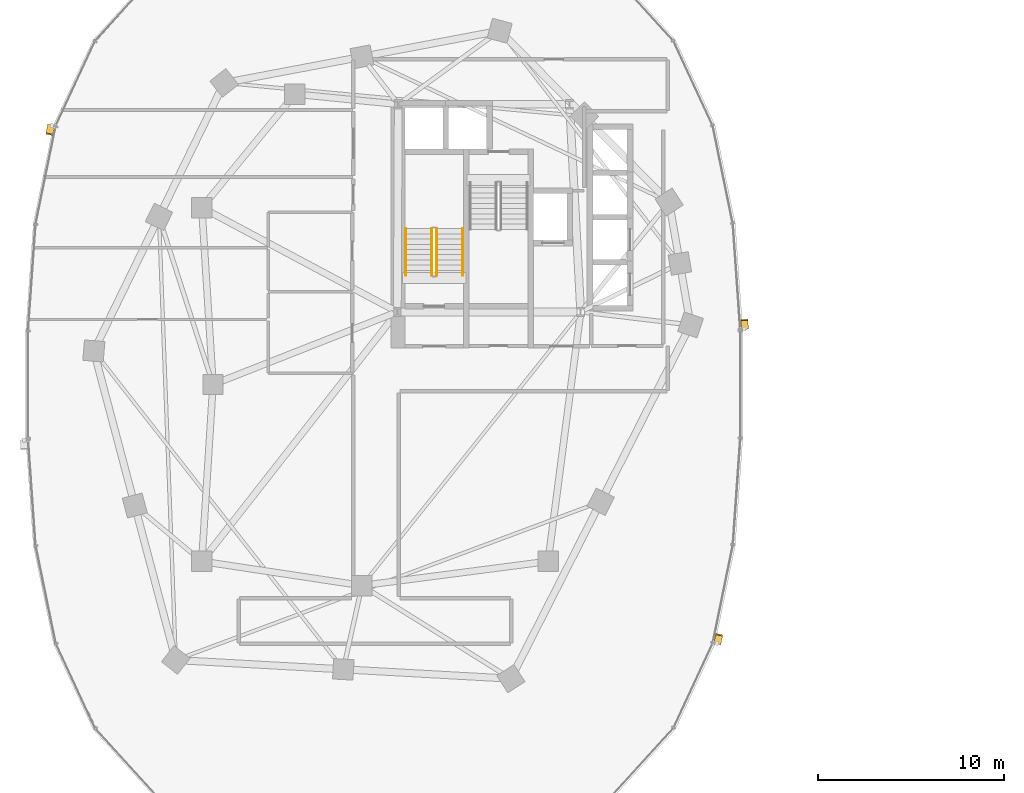
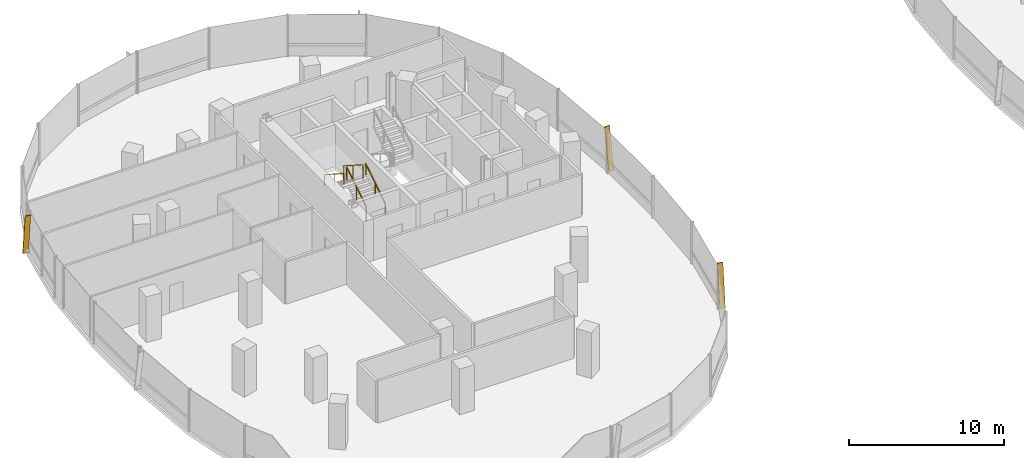
# One storey, part 18 of 21: 4 railings, 3 shading devices.
"""IFC4 building model written with IfcOpenShell, lengths in metres."""

from ifc_helpers import new_model, si_unit, direction, frame, origin, origin_2d, place, context, subcontext, project, spatial, rectangle, extrude, material, material_profile, profile_set, type_object, element, save


model = new_model("IFC4")

# Units and contexts
model_context = context("Model", 3, precision=1e-05, world=origin(), true_north=direction((0.0, 1.0)))
body_context = subcontext(model_context, "Body", "Model", "MODEL_VIEW")
ifc_project = project(units=[si_unit("LENGTHUNIT", "METRE"), si_unit("AREAUNIT", "SQUARE_METRE"), si_unit("VOLUMEUNIT", "CUBIC_METRE"), si_unit("PLANEANGLEUNIT", "RADIAN"), si_unit("MASSUNIT", "GRAM", prefix="KILO"), si_unit("THERMODYNAMICTEMPERATUREUNIT", "KELVIN"), si_unit("POWERUNIT", "WATT")], contexts=[model_context])

# Site, building, storey
site_placement = place(None, origin())
site = spatial("IfcSite", under=ifc_project, at=site_placement, CompositionType="ELEMENT")
building_placement = place(site_placement, origin())
building = spatial("IfcBuilding", under=site, at=building_placement, Name="Cundina Bronze Exchange", CompositionType="ELEMENT")
storey_placement = place(building_placement, frame((0.0, 0.0, 85.39990234375)))
storey = spatial("IfcBuildingStorey", under=building, at=storey_placement, Name="L21", CompositionType="ELEMENT", Elevation=85.39990234375)

# Railings
ifc_material_1 = material(Name="Steel ASTM A36 Painted", Category="steel")
railing_type_1 = type_object("IfcRailingType", Name="RLG-HND-900", PredefinedType="HANDRAIL", material=ifc_material_1)
railing_1_placement = place(storey_placement, frame((-27.7900390625, 5.85009765625, 0.18017578125)))
element("IfcRailing", 1, at=railing_1_placement, inside=storey, type_object=railing_type_1, Name="L21 ST-W1 stair handrail 1", PredefinedType="HANDRAIL", context=body_context, shape_type="SweptSolid", body=[
    extrude(rectangle(XDim=0.048095703125, YDim=0.048095703125, at=origin_2d()), frame((0.0, 0.0, 0.8759765625), z_axis=(0.0, 0.841199657755, 0.540724639528), x_axis=(-1.0, 0.0, 0.0)), (0.0, 0.0, 1.0), 2.995849609375),
    extrude(rectangle(XDim=0.0419921875, YDim=0.0419921875, at=origin_2d()), origin(), (0.0, 0.0, 1.0), 0.851806640625),
    extrude(rectangle(XDim=0.0419921875, YDim=0.0419921875, at=origin_2d()), frame((0.0, 1.260009765625, 0.81005859375)), (0.0, 0.0, 1.0), 0.851806640625),
    extrude(rectangle(XDim=0.0419921875, YDim=0.0419921875, at=origin_2d()), frame((0.0, 2.52001953125, 1.619873046875)), (0.0, 0.0, 1.0), 0.851806640625),
])
railing_2_placement = place(storey_placement, frame((-30.85009765625, 8.3701171875, 1.97998046875)))
element("IfcRailing", 2, at=railing_2_placement, inside=storey, type_object=railing_type_1, Name="L21 ST-W1 stair handrail 2", PredefinedType="HANDRAIL", context=body_context, shape_type="SweptSolid", body=[
    extrude(rectangle(XDim=0.048095703125, YDim=0.048095703125, at=origin_2d()), frame((0.0, 0.0, 0.8759765625), z_axis=(0.0, -0.841162588446, 0.540782303519), x_axis=(1.0, 0.0, 0.0)), (0.0, 0.0, 1.0), 2.995849609375),
    extrude(rectangle(XDim=0.0419921875, YDim=0.0419921875, at=origin_2d()), origin(), (0.0, 0.0, 1.0), 0.851806640625),
    extrude(rectangle(XDim=0.0419921875, YDim=0.0419921875, at=origin_2d()), frame((0.0, -1.260009765625, 0.81005859375)), (0.0, 0.0, 1.0), 0.851806640625),
    extrude(rectangle(XDim=0.0419921875, YDim=0.0419921875, at=origin_2d()), frame((0.0, -2.52001953125, 1.6201171875)), (0.0, 0.0, 1.0), 0.851806640625),
])
railing_type_2 = type_object("IfcRailingType", Name="RLG-STG-1100", PredefinedType="GUARDRAIL", material=ifc_material_1)
railing_3_placement = place(storey_placement, frame((-29.18994140625, 5.85009765625, 0.18017578125)))
element("IfcRailing", 3, at=railing_3_placement, inside=storey, type_object=railing_type_2, Name="L21 ST-W1 stair guard 1", PredefinedType="GUARDRAIL", context=body_context, shape_type="SweptSolid", body=[
    extrude(rectangle(XDim=0.048095703125, YDim=0.048095703125, at=origin_2d()), frame((0.0, 0.0, 1.076171875), z_axis=(0.0, 0.841199657755, 0.540724639528), x_axis=(-1.0, 0.0, 0.0)), (0.0, 0.0, 1.0), 2.995849609375),
    extrude(rectangle(XDim=0.0419921875, YDim=0.0419921875, at=origin_2d()), origin(), (0.0, 0.0, 1.0), 1.052001953125),
    extrude(rectangle(XDim=0.0419921875, YDim=0.0419921875, at=origin_2d()), frame((0.0, 1.260009765625, 0.81005859375)), (0.0, 0.0, 1.0), 1.052001953125),
    extrude(rectangle(XDim=0.0419921875, YDim=0.0419921875, at=origin_2d()), frame((0.0, 2.52001953125, 1.619873046875)), (0.0, 0.0, 1.0), 1.052001953125),
])
railing_4_placement = place(storey_placement, frame((-29.449951171875, 8.3701171875, 1.97998046875)))
element("IfcRailing", 4, at=railing_4_placement, inside=storey, type_object=railing_type_2, Name="L21 ST-W1 stair guard 3", PredefinedType="GUARDRAIL", context=body_context, shape_type="SweptSolid", body=[
    extrude(rectangle(XDim=0.048095703125, YDim=0.048095703125, at=origin_2d()), frame((0.0, 0.0, 1.076171875), z_axis=(0.0, -0.841162588446, 0.540782303519), x_axis=(1.0, 0.0, 0.0)), (0.0, 0.0, 1.0), 2.995849609375),
    extrude(rectangle(XDim=0.0419921875, YDim=0.0419921875, at=origin_2d()), origin(), (0.0, 0.0, 1.0), 1.052001953125),
    extrude(rectangle(XDim=0.0419921875, YDim=0.0419921875, at=origin_2d()), frame((0.0, -1.260009765625, 0.81005859375)), (0.0, 0.0, 1.0), 1.052001953125),
    extrude(rectangle(XDim=0.0419921875, YDim=0.0419921875, at=origin_2d()), frame((0.0, -2.52001953125, 1.6201171875)), (0.0, 0.0, 1.0), 1.052001953125),
])

# Shading devices
ifc_material_2 = material(Name="Anodised Bronze Aluminium 6063-T6", Category="aluminium")
ifc_material_profile = material_profile(ifc_material_2, rectangle(XDim=0.070068359375, YDim=0.3798828125, at=origin_2d()), Name="FIN70X380", Category="aluminium")
ifc_profile_set = profile_set([ifc_material_profile], Name="Anodised Bronze Aluminium 6063-T6")
shading_device_type = type_object("IfcShadingDeviceType", Name="SHD-FIN-BRZ380", PredefinedType="USERDEFINED", material=ifc_profile_set)
for number, where, z_axis, x_axis, name in (
    (5, (-12.6259765625, 2.993896484375, 0.02001953125), (-0.010224545828, 0.145292278041, 0.989335945271), (0.069450050635, -0.986895284755, 0.145651595925), "L21 Diagonal Bronze Solar Fin 1"),
    (6, (-49.89599609375, 13.911865234375, 0.02001953125), (-0.029413888538, -0.142698109128, 0.989329102378), (0.199728220342, 0.968958570224, 0.145698068578), "L21 Diagonal Bronze Solar Fin 5"),
    (7, (-14.10400390625, -13.911865234375, 0.02001953125), (0.029413888538, 0.142698109128, 0.989329102378), (-0.199728220342, -0.968958570224, 0.145698068578), "L21 Diagonal Bronze Solar Fin 5"),
):
    element("IfcShadingDevice", number, at=place(storey_placement, frame(where, z_axis=z_axis, x_axis=x_axis)), inside=storey, type_object=shading_device_type, Name=name, ObjectType="FIN", PredefinedType="USERDEFINED", context=body_context, shape_type="SweptSolid", body=[
        extrude(rectangle(XDim=0.070068359375, YDim=0.3798828125, at=origin_2d()), origin(), (0.0, 0.0, 1.0), 3.295166015625),
    ])

save(model, "model.ifc")
